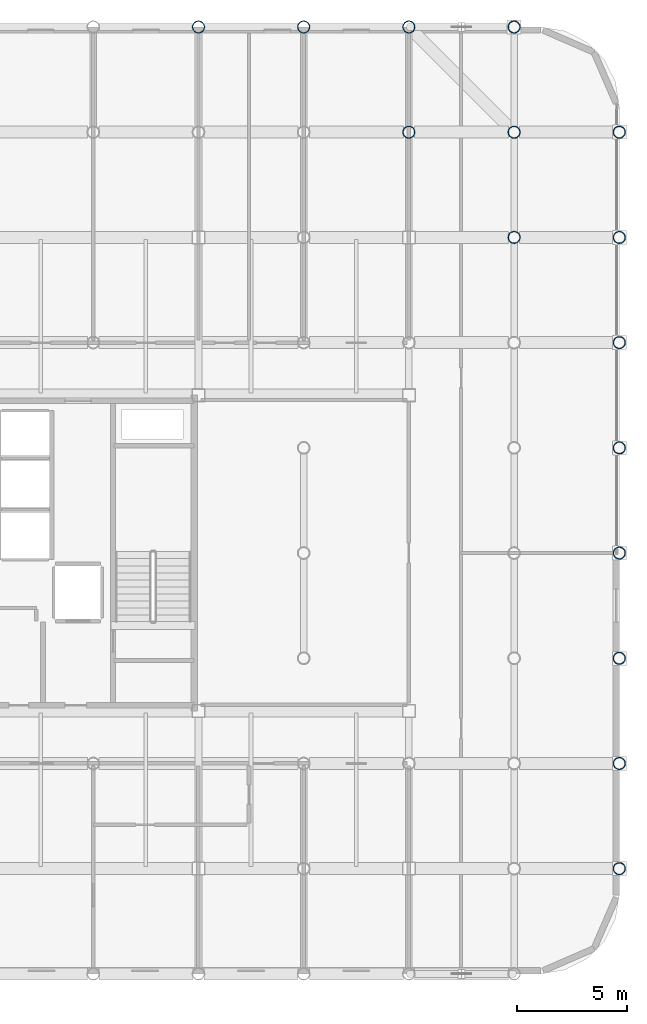
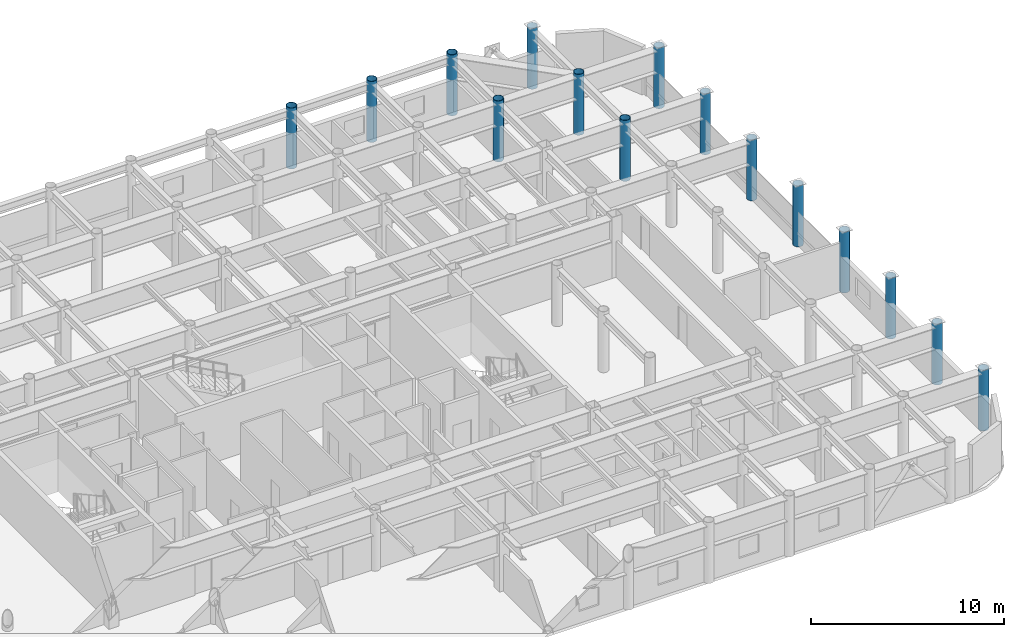
# One storey, part 4 of 27: 15 columns.
"""IFC4 building model written with IfcOpenShell, lengths in metres."""

from ifc_helpers import new_model, si_unit, direction, frame, origin, origin_2d, place, context, subcontext, project, spatial, hollow_circle, extrude, material, material_profile, profile_set, type_object, element, save


model = new_model("IFC4")

# Units and contexts
model_context = context("Model", 3, precision=1e-05, world=origin(), true_north=direction((0.0, 1.0)))
body_context = subcontext(model_context, "Body", "Model", "MODEL_VIEW")
ifc_project = project(units=[si_unit("LENGTHUNIT", "METRE"), si_unit("AREAUNIT", "SQUARE_METRE"), si_unit("VOLUMEUNIT", "CUBIC_METRE"), si_unit("PLANEANGLEUNIT", "RADIAN"), si_unit("MASSUNIT", "GRAM", prefix="KILO")], contexts=[model_context])

# Site, building, storey
site_placement = place(None, origin())
site = spatial("IfcSite", under=ifc_project, at=site_placement, CompositionType="ELEMENT")
building_placement = place(site_placement, origin())
building = spatial("IfcBuilding", under=site, at=building_placement, Name="Kallvorn Hotel Tower", CompositionType="ELEMENT")
storey_placement = place(building_placement, frame((0.0, 0.0, 245.39990234375)))
storey = spatial("IfcBuildingStorey", under=building, at=storey_placement, Name="L61", CompositionType="ELEMENT", Elevation=245.39990234375)

# Columns
ifc_material = material(Name="Structural steel S355J2H", Category="steel")
ifc_material_profile = material_profile(ifc_material, hollow_circle(Radius=0.279541015625, WallThickness=0.02490234375, at=origin_2d()), Name="CHS 559x25")
ifc_profile_set = profile_set([ifc_material_profile], Name="Structural steel S355J2H")
column_type = type_object("IfcColumnType", Name="COL_CHS_559", PredefinedType="COLUMN", material=ifc_profile_set)
for number, where, z_axis, x_axis, name in (
    (1, (14.39990234375, 24.0, 0.0), (0.0, 0.0, 1.0), (1.0, 0.0, 0.0), "L61 Exoskeleton Column EC51"),
    (2, (19.199951171875, 24.0, 0.0), (0.0, 0.0, 1.0), (1.0, 0.0, 0.0), "L61 Exoskeleton Column EC61"),
    (3, (24.0, 19.199951171875, 0.0), (0.0, 0.0, 1.0), (1.0, 0.0, 0.0), "L61 Exoskeleton Column EC65"),
    (4, (24.0, 24.0, 0.0), (0.0, 0.0, 1.0), (1.0, 0.0, 0.0), "L61 Exoskeleton Column EC66"),
    (5, (28.800048828125, 14.39990234375, 0.0), (0.0, 0.0, 1.0), (1.0, 0.0, 0.0), "L61 Exoskeleton Column EC74"),
    (6, (28.800048828125, 19.199951171875, 0.0), (0.0, 0.0, 1.0), (1.0, 0.0, 0.0), "L61 Exoskeleton Column EC75"),
    (7, (28.800048828125, 24.0, 0.0), (0.0, 0.0, 1.0), (1.0, 0.0, 0.0), "L61 Exoskeleton Column EC76"),
    (8, (33.60009765625, -14.39990234375, 0.0), (0.0, 0.0, 1.0), (1.0, 0.0, 0.0), "L61 Exoskeleton Column EC77"),
    (9, (33.60009765625, -9.60009765625, 0.0), (0.0, 0.0, 1.0), (1.0, 0.0, 0.0), "L61 Exoskeleton Column EC78"),
    (10, (33.60009765625, -4.800048828125, 0.0), (0.0, 0.0, 1.0), (1.0, 0.0, 0.0), "L61 Exoskeleton Column EC79"),
    (11, (33.60009765625, 0.0, 0.0), (0.0, 0.0, 1.0), (1.0, 0.0, 0.0), "L61 Exoskeleton Column EC80"),
    (12, (33.60009765625, 4.800048828125, 0.0), (0.0, 0.0, 1.0), (1.0, 0.0, 0.0), "L61 Exoskeleton Column EC81"),
    (13, (33.60009765625, 9.60009765625, 0.0), (0.0, 0.0, 1.0), (1.0, 0.0, 0.0), "L61 Exoskeleton Column EC82"),
    (14, (33.60009765625, 14.39990234375, 0.0), (0.0, 0.0, 1.0), (1.0, 0.0, 0.0), "L61 Exoskeleton Column EC83"),
    (15, (33.60009765625, 19.199951171875, 0.0), (0.0, 0.0, 1.0), (1.0, 0.0, 0.0), "L61 Exoskeleton Column EC84"),
):
    element("IfcColumn", number, at=place(storey_placement, frame(where, z_axis=z_axis, x_axis=x_axis)), inside=storey, type_object=column_type, Name=name, PredefinedType="COLUMN", context=body_context, shape_type="SweptSolid", body=[
        extrude(hollow_circle(Radius=0.279541015625, WallThickness=0.02490234375, at=origin_2d()), origin(), (0.0, 0.0, 1.0), 3.85009765625),
    ])

save(model, "model.ifc")
